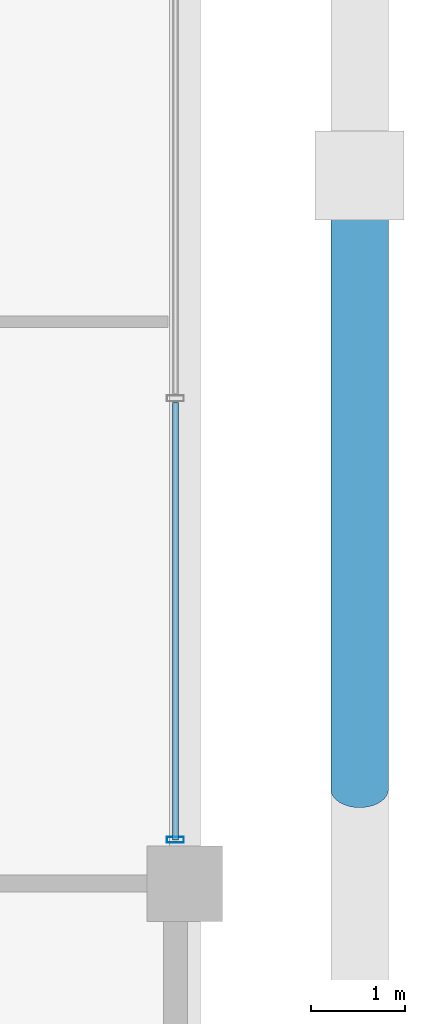
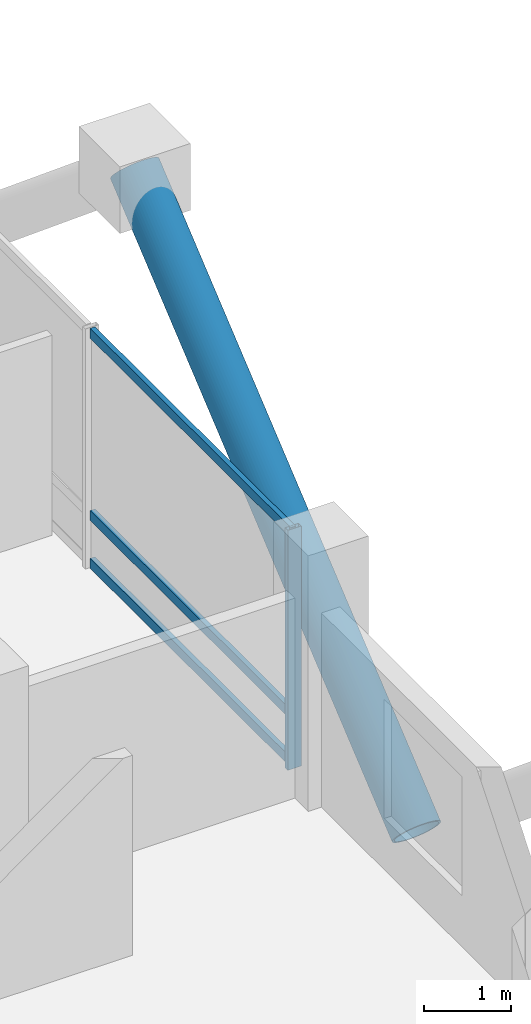
# One storey, part 8 of 23: 5 members, 1 element without a shape of its own.
"""IFC4 building model written with IfcOpenShell, lengths in metres."""

from ifc_helpers import new_model, si_unit, direction, frame, origin, origin_2d, place, context, subcontext, project, spatial, hollow_rectangle, hollow_circle, extrude, material, layer, layer_set, material_profile, profile_set, type_object, element, aggregate, save


model = new_model("IFC4")

# Units and contexts
model_context = context("Model", 3, precision=1e-05, world=origin(), true_north=direction((0.0, 1.0)))
body_context = subcontext(model_context, "Body", "Model", "MODEL_VIEW")
ifc_project = project(units=[si_unit("LENGTHUNIT", "METRE"), si_unit("AREAUNIT", "SQUARE_METRE"), si_unit("VOLUMEUNIT", "CUBIC_METRE"), si_unit("PLANEANGLEUNIT", "RADIAN"), si_unit("MASSUNIT", "GRAM", prefix="KILO")], contexts=[model_context])

# Site, building, storey
site_placement = place(None, origin())
site = spatial("IfcSite", under=ifc_project, at=site_placement, CompositionType="ELEMENT")
building_placement = place(site_placement, origin())
building = spatial("IfcBuilding", under=site, at=building_placement, Name="Barlavira Tower and Art Museum", CompositionType="ELEMENT")
storey_placement = place(building_placement, frame((0.0, 0.0, 57.60009765625)))
storey = spatial("IfcBuildingStorey", under=building, at=storey_placement, Name="L13", CompositionType="ELEMENT", Elevation=57.60009765625)

# Curtain wall, members
ifc_material_1 = material(Name="Low-iron coastal laminated glass", Category="glass")
ifc_layer = layer(ifc_material_1, 0.179931640625, Name="Low-iron coastal laminated glass")
ifc_layer_set = layer_set([ifc_layer], Name="Low-iron coastal laminated glass")
curtain_wall_type = type_object("IfcCurtainWallType", Name="Pale-Metal Unitised Curtain Wall Zone 1", PredefinedType="NOTDEFINED", material=ifc_layer_set)
curtain_wall_placement = place(storey_placement, origin())
curtain_wall = element("IfcCurtainWall", 1, at=curtain_wall_placement, inside=storey, type_object=curtain_wall_type, Name="L13 Curtain Wall CW1-L13-E-B3", PredefinedType="NOTDEFINED")
ifc_material_2 = material(Name="Pale anodised aluminium", Category="aluminium")
ifc_material_profile_1 = material_profile(ifc_material_2, hollow_rectangle(XDim=0.06494140625, YDim=0.179931640625, WallThickness=0.00390625, at=origin_2d()), Name="ALU-MULL 65x180x4")
ifc_profile_set_1 = profile_set([ifc_material_profile_1], Name="Pale anodised aluminium")
member_type_1 = type_object("IfcMemberType", Name="Curtain Wall Pale-Metal Mullion 65x180", PredefinedType="MULLION", material=ifc_profile_set_1)
member_1_placement = place(storey_placement, frame((21.89990234375, -7.034912109375, 0.0), z_axis=(0.0, 0.0, 1.0), x_axis=(0.0, 1.0, 0.0)))
member_1 = element("IfcMember", 2, at=member_1_placement, type_object=member_type_1, Name="CW1-L13-E-B3 Mullion 0", PredefinedType="MULLION", context=body_context, shape_type="SweptSolid", body=[
    extrude(hollow_rectangle(XDim=0.06494140625, YDim=0.179931640625, WallThickness=0.00390625, at=origin_2d()), origin(), (0.0, 0.0, 1.0), 3.3798828125),
])
ifc_material_profile_2 = material_profile(ifc_material_2, hollow_rectangle(XDim=0.06494140625, YDim=0.139892578125, WallThickness=0.00390625, at=origin_2d()), Name="ALU-TRAN 65x140x4")
ifc_profile_set_2 = profile_set([ifc_material_profile_2], Name="Pale anodised aluminium")
member_type_2 = type_object("IfcMemberType", Name="Curtain Wall Pale-Metal Transom 65x140", PredefinedType="USERDEFINED", material=ifc_profile_set_2)
member_2_placement = place(storey_placement, frame((21.89990234375, -7.034912109375, 0.06982421875), z_axis=(0.0, 1.0, 0.0), x_axis=(-1.0, 0.0, 0.0)))
member_2 = element("IfcMember", 3, at=member_2_placement, type_object=member_type_2, Name="CW1-L13-E-B3 Transom 0.1", ObjectType="TRANSOM", PredefinedType="USERDEFINED", context=body_context, shape_type="SweptSolid", body=[
    extrude(hollow_rectangle(XDim=0.06494140625, YDim=0.139892578125, WallThickness=0.00390625, at=origin_2d()), origin(), (0.0, 0.0, 1.0), 4.6298828125),
])
member_3_placement = place(storey_placement, frame((21.89990234375, -7.034912109375, 0.743896484375), z_axis=(0.0, 1.0, 0.0), x_axis=(-1.0, 0.0, 0.0)))
member_3 = element("IfcMember", 4, at=member_3_placement, type_object=member_type_2, Name="CW1-L13-E-B3 Transom 0.2", ObjectType="TRANSOM", PredefinedType="USERDEFINED", context=body_context, shape_type="SweptSolid", body=[
    extrude(hollow_rectangle(XDim=0.06494140625, YDim=0.139892578125, WallThickness=0.00390625, at=origin_2d()), origin(), (0.0, 0.0, 1.0), 4.6298828125),
])
member_4_placement = place(storey_placement, frame((21.89990234375, -7.034912109375, 3.309814453125), z_axis=(0.0, 1.0, 0.0), x_axis=(-1.0, 0.0, 0.0)))
member_4 = element("IfcMember", 5, at=member_4_placement, type_object=member_type_2, Name="CW1-L13-E-B3 Transom 0.3", ObjectType="TRANSOM", PredefinedType="USERDEFINED", context=body_context, shape_type="SweptSolid", body=[
    extrude(hollow_rectangle(XDim=0.06494140625, YDim=0.139892578125, WallThickness=0.00390625, at=origin_2d()), origin(), (0.0, 0.0, 1.0), 4.6298828125),
])
aggregate(curtain_wall, [member_1, member_2, member_3, member_4])

# Member
ifc_material_3 = material(Name="Steel S355", Category="steel")
ifc_material_profile_3 = material_profile(ifc_material_3, hollow_circle(Radius=0.304931640625, WallThickness=0.028076171875, at=origin_2d()), Name="CHS 610.0x28.0")
ifc_profile_set_3 = profile_set([ifc_material_profile_3], Name="Steel S355")
member_type_3 = type_object("IfcMemberType", Name="Pale-Metal Exoskeleton Diagrid Tube CHS 610x28 Steel S355", PredefinedType="BRACE", material=ifc_profile_set_3)
member_5_placement = place(storey_placement, frame((23.85009765625, -6.5, -1.920166015625), z_axis=(0.0, 0.76918185268, 0.639029950399), x_axis=(-1.0, 0.0, 0.0)))
element("IfcMember", 6, at=member_5_placement, inside=storey, type_object=member_type_3, Name="L13 Exoskeleton Diagrid Tube E", PredefinedType="BRACE", context=body_context, shape_type="SweptSolid", body=[
    extrude(hollow_circle(Radius=0.304931640625, WallThickness=0.028076171875, at=origin_2d()), origin(), (0.0, 0.0, 1.0), 8.450439453125),
])

save(model, "model.ifc")
